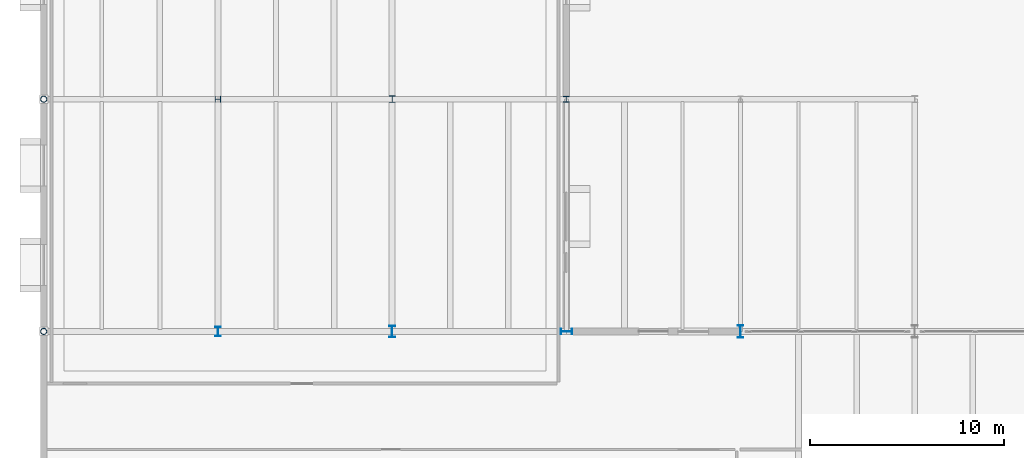
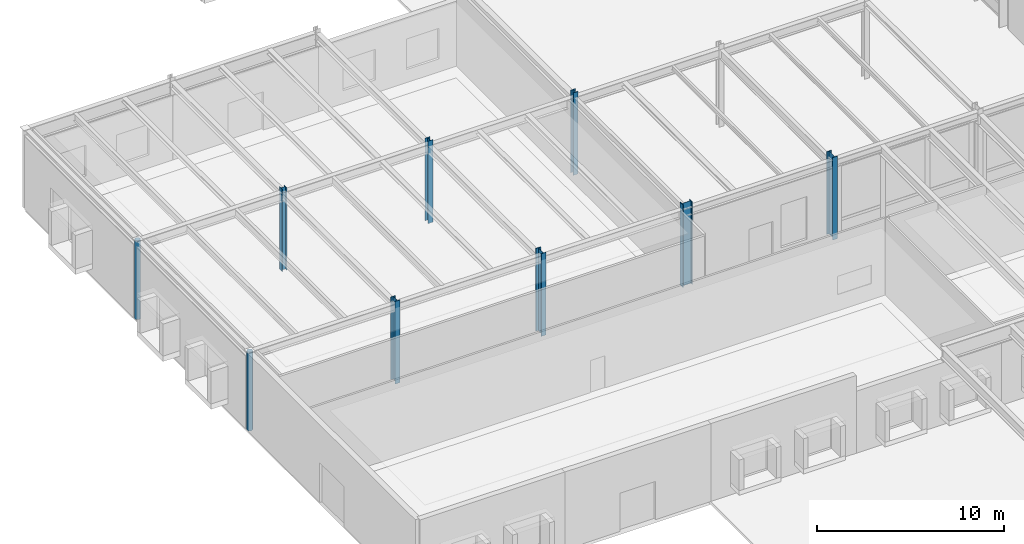
# One storey, part 2 of 143: 9 columns.
"""IFC4 building model written with IfcOpenShell, lengths in metres."""

from ifc_helpers import new_model, si_unit, direction, frame, origin, origin_2d, place, context, subcontext, project, spatial, hollow_circle, i_section, extrude, material, material_profile, profile_set, type_object, element, save


model = new_model("IFC4")

# Units and contexts
model_context = context("Model", 3, precision=1e-05, world=origin(), true_north=direction((0.0, 1.0)))
body_context = subcontext(model_context, "Body", "Model", "MODEL_VIEW")
ifc_project = project(units=[si_unit("LENGTHUNIT", "METRE"), si_unit("AREAUNIT", "SQUARE_METRE"), si_unit("VOLUMEUNIT", "CUBIC_METRE"), si_unit("PLANEANGLEUNIT", "RADIAN"), si_unit("MASSUNIT", "GRAM", prefix="KILO")], contexts=[model_context])

# Site, building, storey
site_placement = place(None, origin())
site = spatial("IfcSite", under=ifc_project, at=site_placement, CompositionType="ELEMENT")
building_placement = place(site_placement, origin())
building = spatial("IfcBuilding", under=site, at=building_placement, Name="Montelvaro Courts of Justice", CompositionType="ELEMENT")
storey_placement = place(building_placement, origin())
storey = spatial("IfcBuildingStorey", under=building, at=storey_placement, Name="L00", CompositionType="ELEMENT", Elevation=0.0)

# Columns
ifc_material = material(Name="Steel S355", Category="steel")
ifc_material_profile_1 = material_profile(ifc_material, hollow_circle(Radius=0.161865234375, WallThickness=0.012451171875, at=origin_2d()), Name="CHS 323.9x12.5")
ifc_profile_set_1 = profile_set([ifc_material_profile_1], Name="Steel S355")
column_type_1 = type_object("IfcColumnType", Name="Col_CHS324", PredefinedType="PILASTER", material=ifc_profile_set_1)
for number, where, z_axis, x_axis, name in (
    (1, (0.0, 42.0, 0.0), (0.0, 0.0, 1.0), (1.0, 0.0, 0.0), "Column C-18 L00 1/D"),
    (2, (0.0, 54.0, 0.0), (0.0, 0.0, 1.0), (1.0, 0.0, 0.0), "Column C-18 L00 1/E"),
):
    element("IfcColumn", number, at=place(storey_placement, frame(where, z_axis=z_axis, x_axis=x_axis)), inside=storey, type_object=column_type_1, Name=name, PredefinedType="PILASTER", context=body_context, shape_type="SweptSolid", body=[
        extrude(hollow_circle(Radius=0.161865234375, WallThickness=0.012451171875, at=origin_2d()), origin(), (0.0, 0.0, 1.0), 5.14990234375),
    ])
ifc_material_profile_2 = material_profile(ifc_material, i_section(OverallWidth=0.300048828125, OverallDepth=0.300048828125, WebThickness=0.010986328125, FlangeThickness=0.01904296875, at=origin_2d()), Name="HEB 300")
ifc_profile_set_2 = profile_set([ifc_material_profile_2], Name="Steel S355")
column_type_2 = type_object("IfcColumnType", Name="Col_HEB300", PredefinedType="COLUMN", material=ifc_profile_set_2)
for number, where, z_axis, x_axis, name in (
    (3, (9.0, 54.0, 0.0), (0.0, 0.0, 1.0), (0.0, 1.0, 0.0), "Column C-03 L00 2/E"),
    (4, (27.0, 54.0, 0.0), (0.0, 0.0, 1.0), (1.0, 0.0, 0.0), "Column C-03 L00 4/E"),
):
    element("IfcColumn", number, at=place(storey_placement, frame(where, z_axis=z_axis, x_axis=x_axis)), inside=storey, type_object=column_type_2, Name=name, PredefinedType="COLUMN", context=body_context, shape_type="SweptSolid", body=[
        extrude(i_section(OverallWidth=0.300048828125, OverallDepth=0.300048828125, WebThickness=0.010986328125, FlangeThickness=0.01904296875, at=origin_2d()), origin(), (0.0, 0.0, 1.0), 5.39990234375),
    ])
ifc_material_profile_3 = material_profile(ifc_material, i_section(OverallWidth=0.300048828125, OverallDepth=0.340087890625, WebThickness=0.011962890625, FlangeThickness=0.021484375, at=origin_2d()), Name="HEB 340")
ifc_profile_set_3 = profile_set([ifc_material_profile_3], Name="Steel S355")
column_type_3 = type_object("IfcColumnType", Name="Col_HEB340", PredefinedType="COLUMN", material=ifc_profile_set_3)
column_1_placement = place(storey_placement, frame((18.0, 54.0, 0.0), z_axis=(0.0, 0.0, 1.0), x_axis=(1.0, 0.0, 0.0)))
element("IfcColumn", 5, at=column_1_placement, inside=storey, type_object=column_type_3, Name="Column C-05 L00 3/E", PredefinedType="COLUMN", context=body_context, shape_type="SweptSolid", body=[
    extrude(i_section(OverallWidth=0.300048828125, OverallDepth=0.340087890625, WebThickness=0.011962890625, FlangeThickness=0.021484375, at=origin_2d()), origin(), (0.0, 0.0, 1.0), 5.39990234375),
])
ifc_material_profile_4 = material_profile(ifc_material, i_section(OverallWidth=0.300048828125, OverallDepth=0.5, WebThickness=0.014404296875, FlangeThickness=0.028076171875, at=origin_2d()), Name="HEB 500")
ifc_profile_set_4 = profile_set([ifc_material_profile_4], Name="Steel S355")
column_type_4 = type_object("IfcColumnType", Name="Col_HEB500", PredefinedType="COLUMN", material=ifc_profile_set_4)
column_2_placement = place(storey_placement, frame((9.0, 42.0, 0.0), z_axis=(0.0, 0.0, 1.0), x_axis=(1.0, 0.0, 0.0)))
element("IfcColumn", 6, at=column_2_placement, inside=storey, type_object=column_type_4, Name="Column C-09 L00 2/D", PredefinedType="COLUMN", context=body_context, shape_type="SweptSolid", body=[
    extrude(i_section(OverallWidth=0.300048828125, OverallDepth=0.5, WebThickness=0.014404296875, FlangeThickness=0.028076171875, at=origin_2d()), origin(), (0.0, 0.0, 1.0), 5.39990234375),
])
ifc_material_profile_5 = material_profile(ifc_material, i_section(OverallWidth=0.300048828125, OverallDepth=0.60009765625, WebThickness=0.015380859375, FlangeThickness=0.030029296875, at=origin_2d()), Name="HEB 600")
ifc_profile_set_5 = profile_set([ifc_material_profile_5], Name="Steel S355")
column_type_5 = type_object("IfcColumnType", Name="Col_HEB600", PredefinedType="COLUMN", material=ifc_profile_set_5)
for number, where, z_axis, x_axis, name in (
    (7, (18.0, 42.0, 0.0), (0.0, 0.0, 1.0), (1.0, 0.0, 0.0), "Column C-11 L00 3/D"),
    (8, (27.0, 42.0, 0.0), (0.0, 0.0, 1.0), (0.0, 1.0, 0.0), "Column C-11 L00 4/D"),
):
    element("IfcColumn", number, at=place(storey_placement, frame(where, z_axis=z_axis, x_axis=x_axis)), inside=storey, type_object=column_type_5, Name=name, PredefinedType="COLUMN", context=body_context, shape_type="SweptSolid", body=[
        extrude(i_section(OverallWidth=0.300048828125, OverallDepth=0.60009765625, WebThickness=0.015380859375, FlangeThickness=0.030029296875, at=origin_2d()), origin(), (0.0, 0.0, 1.0), 5.39990234375),
    ])
ifc_material_profile_6 = material_profile(ifc_material, i_section(OverallWidth=0.300048828125, OverallDepth=0.64990234375, WebThickness=0.01611328125, FlangeThickness=0.031005859375, at=origin_2d()), Name="HEB 650")
ifc_profile_set_6 = profile_set([ifc_material_profile_6], Name="Steel S355")
column_type_6 = type_object("IfcColumnType", Name="Col_HEB650", PredefinedType="COLUMN", material=ifc_profile_set_6)
column_3_placement = place(storey_placement, frame((36.0, 42.0, 0.0), z_axis=(0.0, 0.0, 1.0), x_axis=(1.0, 0.0, 0.0)))
element("IfcColumn", 9, at=column_3_placement, inside=storey, type_object=column_type_6, Name="Column C-12 L00 5/D", PredefinedType="COLUMN", context=body_context, shape_type="SweptSolid", body=[
    extrude(i_section(OverallWidth=0.300048828125, OverallDepth=0.64990234375, WebThickness=0.01611328125, FlangeThickness=0.031005859375, at=origin_2d()), origin(), (0.0, 0.0, 1.0), 5.39990234375),
])

save(model, "model.ifc")
